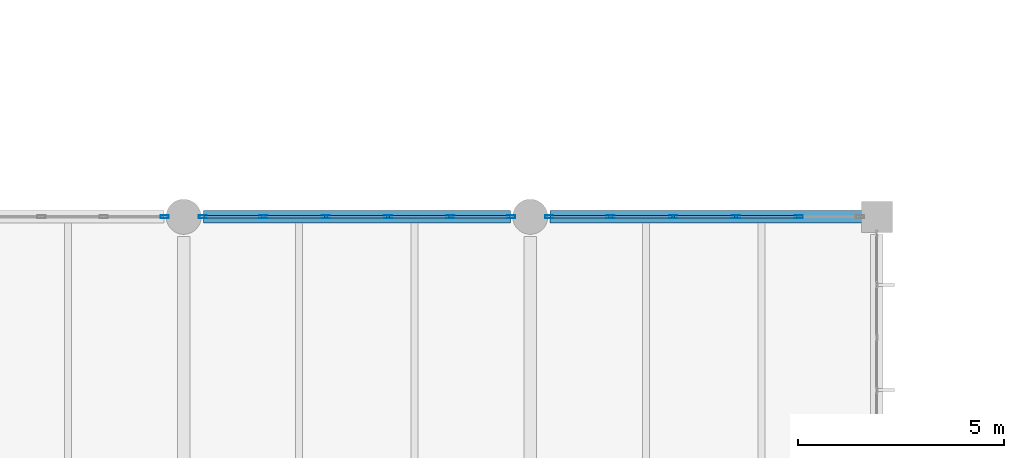
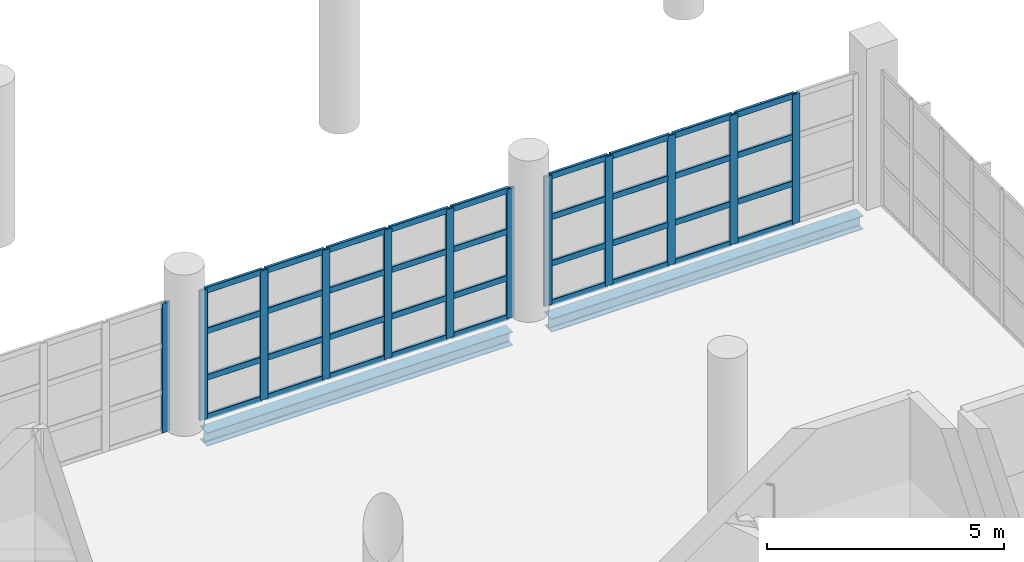
# One storey, part 75 of 177: 48 members, 2 beams, 3 elements without a shape of their own.
"""IFC4 building model written with IfcOpenShell, lengths in metres."""

import ifcopenshell
import ifcopenshell.guid

model = None  # the IFC model being written
_history = None  # IfcOwnerHistory: only IFC2X3 demands one
_inside = {}  # id of a spatial element -> (the spatial element, [elements in it])
_under = {}  # id of a project, library or spatial element -> (it, [spatial elements below it])
_declared = {}  # id of a project -> (the project, [libraries it declares])
_typed = {}  # id of a type object -> (the type object, [elements of that type])
_made_of = {}  # id of a material, layer set ... -> (it, [elements and type objects made of it])


def new_model(schema):
    """Start an empty IFC model of exactly this schema.

    Asked for "IFC4X3", IfcOpenShell would pick the latest addendum, in which some entities
    have other attributes; the version numbers below select the first issue.
    IFC2X3 requires an IfcOwnerHistory on every rooted entity: one is made here for all.
    """
    global model, _history
    if schema == "IFC4X3":
        model = ifcopenshell.file(schema_version=(4, 3, 0, 0))
    else:
        model = ifcopenshell.file(schema=schema)
    _inside.clear()
    _under.clear()
    _declared.clear()
    _typed.clear()
    _made_of.clear()
    _history = None
    if model.schema == "IFC2X3":
        org = make("IfcOrganization", Name="unknown")
        user = make(
            "IfcPersonAndOrganization",
            ThePerson=make("IfcPerson", FamilyName="unknown"),
            TheOrganization=org,
        )
        app = make(
            "IfcApplication",
            ApplicationDeveloper=org,
            Version="unknown",
            ApplicationFullName="unknown",
            ApplicationIdentifier="unknown",
        )
        _history = make(
            "IfcOwnerHistory",
            OwningUser=user,
            OwningApplication=app,
            ChangeAction="ADDED",
            CreationDate=0,
        )
    return model


def make(cls, **values):
    """One entity of the class cls with the attributes given. An attribute that is None is left unset."""
    return model.create_entity(
        cls, **{name: value for name, value in values.items() if value is not None}
    )


def rooted(cls, **values):
    """An entity with a GlobalId (a new one), such as an element, a storey or a relation."""
    return make(cls, GlobalId=ifcopenshell.guid.new(), OwnerHistory=_history, **values)


def si_unit(unit_type, name, prefix=None):
    """IfcSIUnit, for example si_unit("LENGTHUNIT", "METRE", prefix="MILLI")."""
    return make("IfcSIUnit", UnitType=unit_type, Prefix=prefix, Name=name)


def assignment(units):
    """IfcUnitAssignment: the units of a project."""
    return None if units is None else make("IfcUnitAssignment", Units=units)


def point(xyz):
    """IfcCartesianPoint."""
    return None if xyz is None else make("IfcCartesianPoint", Coordinates=xyz)


def direction(xyz):
    """IfcDirection."""
    return None if xyz is None else make("IfcDirection", DirectionRatios=xyz)


def frame(location, z_axis=None, x_axis=None):
    """IfcAxis2Placement3D, a coordinate frame: its origin and axes. An axis left out is left unset."""
    return make(
        "IfcAxis2Placement3D",
        Location=point(location),
        Axis=direction(z_axis),
        RefDirection=direction(x_axis),
    )


def frame_2d(location, x_axis=None):
    """IfcAxis2Placement2D, a coordinate frame in the plane: its origin and x axis."""
    return make(
        "IfcAxis2Placement2D", Location=point(location), RefDirection=direction(x_axis)
    )


def origin():
    """The frame at (0, 0, 0) with its axes left unset."""
    return frame((0.0, 0.0, 0.0))


def origin_2d():
    """The frame at (0, 0) in the plane with its x axis left unset."""
    return frame_2d((0.0, 0.0))


def place(relative_to, where):
    """IfcLocalPlacement: puts the frame where relative to a parent placement (None: the world)."""
    return make(
        "IfcLocalPlacement", PlacementRelTo=relative_to, RelativePlacement=where
    )


def context(
    kind, dimensions, precision=None, world=None, true_north=None, identifier=None
):
    """IfcGeometricRepresentationContext, for example the 3D "Model" context."""
    return make(
        "IfcGeometricRepresentationContext",
        ContextIdentifier=identifier,
        ContextType=kind,
        CoordinateSpaceDimension=dimensions,
        Precision=precision,
        WorldCoordinateSystem=world,
        TrueNorth=true_north,
    )


def subcontext(parent, identifier, kind, view, scale=None):
    """IfcGeometricRepresentationSubContext, for example "Body" below "Model"."""
    return make(
        "IfcGeometricRepresentationSubContext",
        ContextIdentifier=identifier,
        ContextType=kind,
        ParentContext=parent,
        TargetScale=scale,
        TargetView=view,
    )


def project(units=None, contexts=None):
    """IfcProject with its units and contexts."""
    return rooted(
        "IfcProject",
        Name="project",
        RepresentationContexts=contexts,
        UnitsInContext=assignment(units),
    )


def spatial(cls, under=None, at=None, **own):
    """A site, building, storey or space (cls), placed at a placement, below another one or the project."""
    s = rooted(cls, ObjectPlacement=at, **own)
    if under is not None:
        _under.setdefault(under.id(), (under, []))[1].append(s)
    return s


def profile(cls, at=None, kind="AREA", **sizes):
    """A parametric profile (cls). Its sizes go by their IFC names, for example OverallWidth=200.0."""
    return make(cls, ProfileType=kind, Position=at, **sizes)


def hollow_rectangle(**sizes):
    """IfcRectangleHollowProfileDef."""
    return profile("IfcRectangleHollowProfileDef", **sizes)


def i_section(**sizes):
    """IfcIShapeProfileDef."""
    return profile("IfcIShapeProfileDef", **sizes)


def extrude(swept, where, along, depth):
    """IfcExtrudedAreaSolid: the profile swept, set in the frame where, extruded along a direction by depth."""
    return make(
        "IfcExtrudedAreaSolid",
        SweptArea=swept,
        Position=where,
        ExtrudedDirection=direction(along),
        Depth=depth,
    )


def shape(context_of_items, identifier, shape_type, items):
    """IfcShapeRepresentation: the items that make up one representation, for example the "Body"."""
    return make(
        "IfcShapeRepresentation",
        ContextOfItems=context_of_items,
        RepresentationIdentifier=identifier,
        RepresentationType=shape_type,
        Items=items,
    )


def material(Name=None, Category=None):
    """IfcMaterial."""
    return make("IfcMaterial", Name=Name, Category=Category)


def layer(
    of_material, thickness, ventilated=None, Name=None, Category=None, Priority=None
):
    """IfcMaterialLayer: one layer of a wall or slab, of a material (None: an air gap)."""
    return make(
        "IfcMaterialLayer",
        Material=of_material,
        LayerThickness=thickness,
        IsVentilated=ventilated,
        Name=Name,
        Category=Category,
        Priority=Priority,
    )


def layer_set(layers, Name=None):
    """IfcMaterialLayerSet."""
    return make("IfcMaterialLayerSet", MaterialLayers=layers, LayerSetName=Name)


def material_profile(
    of_material, cross_section, Name=None, Category=None, Priority=None
):
    """IfcMaterialProfile: a cross section and its material."""
    return make(
        "IfcMaterialProfile",
        Name=Name,
        Material=of_material,
        Profile=cross_section,
        Priority=Priority,
        Category=Category,
    )


def profile_set(profiles, Name=None, composite=None):
    """IfcMaterialProfileSet."""
    return make(
        "IfcMaterialProfileSet",
        Name=Name,
        MaterialProfiles=profiles,
        CompositeProfile=composite,
    )


def made_of(thing, what):
    """Note that an element or type object is made of a material, layer set ...; save() writes the relation."""
    if what is not None:
        _made_of.setdefault(what.id(), (what, []))[1].append(thing)
    return thing


def type_object(cls, material=None, **own):
    """A type object (cls), such as IfcWallType, which elements share."""
    return made_of(rooted(cls, **own), material)


def element(
    cls,
    number,
    at=None,
    inside=None,
    cuts=None,
    type_object=None,
    material=None,
    context=None,
    identifier="Body",
    shape_type=None,
    held_by="IfcProductDefinitionShape",
    body=None,
    shapes=None,
    **own,
):
    """One element of the class cls, such as IfcWall. Its Tag is "e" and its number.

    at: its placement. inside: the storey or other place that contains it. cuts: it is an
    opening in that element (IfcRelVoidsElement). A single representation is given by context,
    identifier, shape_type and body (its items); several are given by shapes. held_by: the class
    of the entity that holds the representations. save() writes the other relations.
    """
    e = rooted(cls, Tag="e%d" % number, ObjectPlacement=at, **own)
    if body is not None:
        shapes = [shape(context, identifier, shape_type, body)]
    if shapes is not None:
        e.Representation = make(held_by, Representations=shapes)
    if inside is not None:
        _inside.setdefault(inside.id(), (inside, []))[1].append(e)
    if cuts is not None:
        rooted(
            "IfcRelVoidsElement", RelatingBuildingElement=cuts, RelatedOpeningElement=e
        )
    if type_object is not None:
        _typed.setdefault(type_object.id(), (type_object, []))[1].append(e)
    return made_of(e, material)


def aggregate(whole, parts):
    """IfcRelAggregates: a whole, such as a stair, and the parts it consists of."""
    return rooted("IfcRelAggregates", RelatingObject=whole, RelatedObjects=parts)


def save(model, path):
    """Write the relations noted so far, then the file.

    IfcRelAggregates (storeys below a building ...), IfcRelContainedInSpatialStructure (elements
    in a storey), IfcRelDefinesByType, IfcRelAssociatesMaterial and IfcRelDeclares: one each for
    every whole, place, type object, material and project.
    """
    for whole, parts in _under.values():
        aggregate(whole, parts)
    for where, things in _inside.values():
        rooted(
            "IfcRelContainedInSpatialStructure",
            RelatedElements=things,
            RelatingStructure=where,
        )
    for kind, things in _typed.values():
        rooted("IfcRelDefinesByType", RelatedObjects=things, RelatingType=kind)
    for what, things in _made_of.values():
        rooted("IfcRelAssociatesMaterial", RelatedObjects=things, RelatingMaterial=what)
    for by, libraries in _declared.values():
        rooted("IfcRelDeclares", RelatingContext=by, RelatedDefinitions=libraries)
    model.write(path)


model = new_model("IFC4")

# Units and contexts
model_context = context("Model", 3, precision=1e-05, world=origin(), true_north=direction((0.0, 1.0)))
body_context = subcontext(model_context, "Body", "Model", "MODEL_VIEW")
ifc_project = project(units=[si_unit("LENGTHUNIT", "METRE"), si_unit("AREAUNIT", "SQUARE_METRE"), si_unit("VOLUMEUNIT", "CUBIC_METRE"), si_unit("PLANEANGLEUNIT", "RADIAN"), si_unit("MASSUNIT", "GRAM", prefix="KILO"), si_unit("THERMODYNAMICTEMPERATUREUNIT", "KELVIN"), si_unit("POWERUNIT", "WATT")], contexts=[model_context])

# Site, building, storey
site_placement = place(None, origin())
site = spatial("IfcSite", under=ifc_project, at=site_placement, CompositionType="ELEMENT")
building_placement = place(site_placement, origin())
building = spatial("IfcBuilding", under=site, at=building_placement, Name="Mavoryth Pier Ferry Terminal", CompositionType="ELEMENT")
storey_placement = place(building_placement, frame((0.0, 0.0, 5.43994140625)))
storey = spatial("IfcBuildingStorey", under=building, at=storey_placement, Name="L01", CompositionType="ELEMENT", Elevation=5.43994140625)

# Curtain wall, member
ifc_material_1 = material(Name="Anodised Aluminium and Solar-Control Low-E Glass", Category="aluminium")
ifc_layer = layer(ifc_material_1, 0.219970703125, Name="Anodised Aluminium and Solar-Control Low-E Glass", Category="aluminium")
ifc_layer_set = layer_set([ifc_layer], Name="Anodised Aluminium and Solar-Control Low-E Glass - CW-Seaward-Tall-Mod1400")
curtain_wall_type = type_object("IfcCurtainWallType", Name="CW-Seaward-Tall-Mod1400", PredefinedType="USERDEFINED", material=ifc_layer_set)
curtain_wall_1_placement = place(storey_placement, origin())
curtain_wall_1 = element("IfcCurtainWall", 1, at=curtain_wall_1_placement, inside=storey, type_object=curtain_wall_type, Name="Curtain Wall CW-0144-040", ObjectType="UNITISED CURTAIN WALL", PredefinedType="USERDEFINED")
ifc_material_2 = material(Name="Anodised Aluminium EN AW-6063", Category="aluminium")
ifc_material_profile_1 = material_profile(ifc_material_2, hollow_rectangle(XDim=0.070068359375, YDim=0.199951171875, WallThickness=0.0048828125, InnerFilletRadius=0.0048828125, OuterFilletRadius=0.010009765625, at=origin_2d()), Name="AL-MULL 200x70x5", Category="aluminium")
ifc_profile_set_1 = profile_set([ifc_material_profile_1], Name="Anodised Aluminium EN AW-6063 - AL-MULL 200x70x5")
member_type_1 = type_object("IfcMemberType", Name="Mullion-Alum-200x70", PredefinedType="MULLION", material=ifc_profile_set_1)
member_1_placement = place(storey_placement, frame((16.340087890625, 106.0, 0.0), z_axis=(0.0, 0.0, 1.0), x_axis=(0.0, -1.0, 0.0)))
member_1 = element("IfcMember", 2, at=member_1_placement, type_object=member_type_1, Name="CW03 mullion 1", PredefinedType="MULLION", context=body_context, shape_type="SweptSolid", body=[
    extrude(hollow_rectangle(XDim=0.070068359375, YDim=0.199951171875, WallThickness=0.0048828125, InnerFilletRadius=0.0048828125, OuterFilletRadius=0.010009765625, at=origin_2d()), origin(), (0.0, 0.0, 1.0), 3.3349609375),
])
aggregate(curtain_wall_1, [member_1])

# Curtain wall, members
curtain_wall_2_placement = place(storey_placement, origin())
curtain_wall_2 = element("IfcCurtainWall", 3, at=curtain_wall_2_placement, inside=storey, type_object=curtain_wall_type, Name="Curtain Wall CW-0144-043", ObjectType="UNITISED CURTAIN WALL", PredefinedType="USERDEFINED")
member_2_placement = place(storey_placement, frame((24.739990234375, 106.0, 0.0), z_axis=(0.0, 0.0, 1.0), x_axis=(0.0, -1.0, 0.0)))
member_2 = element("IfcMember", 4, at=member_2_placement, type_object=member_type_1, Name="CW03 mullion 1", PredefinedType="MULLION", context=body_context, shape_type="SweptSolid", body=[
    extrude(hollow_rectangle(XDim=0.070068359375, YDim=0.199951171875, WallThickness=0.0048828125, InnerFilletRadius=0.0048828125, OuterFilletRadius=0.010009765625, at=origin_2d()), origin(), (0.0, 0.0, 1.0), 3.3349609375),
])
member_3_placement = place(storey_placement, frame((23.264892578125, 106.0, 0.0), z_axis=(0.0, 0.0, 1.0), x_axis=(0.0, -1.0, 0.0)))
member_3 = element("IfcMember", 5, at=member_3_placement, type_object=member_type_1, Name="CW03 mullion 2", PredefinedType="MULLION", context=body_context, shape_type="SweptSolid", body=[
    extrude(hollow_rectangle(XDim=0.070068359375, YDim=0.199951171875, WallThickness=0.0048828125, InnerFilletRadius=0.0048828125, OuterFilletRadius=0.010009765625, at=origin_2d()), origin(), (0.0, 0.0, 1.0), 3.3349609375),
])
member_4_placement = place(storey_placement, frame((21.7548828125, 106.0, 0.0), z_axis=(0.0, 0.0, 1.0), x_axis=(0.0, -1.0, 0.0)))
member_4 = element("IfcMember", 6, at=member_4_placement, type_object=member_type_1, Name="CW03 mullion 3", PredefinedType="MULLION", context=body_context, shape_type="SweptSolid", body=[
    extrude(hollow_rectangle(XDim=0.070068359375, YDim=0.199951171875, WallThickness=0.0048828125, InnerFilletRadius=0.0048828125, OuterFilletRadius=0.010009765625, at=origin_2d()), origin(), (0.0, 0.0, 1.0), 3.3349609375),
])
member_5_placement = place(storey_placement, frame((20.2451171875, 106.0, 0.0), z_axis=(0.0, 0.0, 1.0), x_axis=(0.0, -1.0, 0.0)))
member_5 = element("IfcMember", 7, at=member_5_placement, type_object=member_type_1, Name="CW03 mullion 4", PredefinedType="MULLION", context=body_context, shape_type="SweptSolid", body=[
    extrude(hollow_rectangle(XDim=0.070068359375, YDim=0.199951171875, WallThickness=0.0048828125, InnerFilletRadius=0.0048828125, OuterFilletRadius=0.010009765625, at=origin_2d()), origin(), (0.0, 0.0, 1.0), 3.3349609375),
])
member_6_placement = place(storey_placement, frame((18.735107421875, 106.0, 0.0), z_axis=(0.0, 0.0, 1.0), x_axis=(0.0, -1.0, 0.0)))
member_6 = element("IfcMember", 8, at=member_6_placement, type_object=member_type_1, Name="CW03 mullion 5", PredefinedType="MULLION", context=body_context, shape_type="SweptSolid", body=[
    extrude(hollow_rectangle(XDim=0.070068359375, YDim=0.199951171875, WallThickness=0.0048828125, InnerFilletRadius=0.0048828125, OuterFilletRadius=0.010009765625, at=origin_2d()), origin(), (0.0, 0.0, 1.0), 3.3349609375),
])
member_7_placement = place(storey_placement, frame((17.260009765625, 106.0, 0.0), z_axis=(0.0, 0.0, 1.0), x_axis=(0.0, -1.0, 0.0)))
member_7 = element("IfcMember", 9, at=member_7_placement, type_object=member_type_1, Name="CW03 mullion 6", PredefinedType="MULLION", context=body_context, shape_type="SweptSolid", body=[
    extrude(hollow_rectangle(XDim=0.070068359375, YDim=0.199951171875, WallThickness=0.0048828125, InnerFilletRadius=0.0048828125, OuterFilletRadius=0.010009765625, at=origin_2d()), origin(), (0.0, 0.0, 1.0), 3.3349609375),
])

curtain_wall_3_placement = place(storey_placement, origin())
curtain_wall_3 = element("IfcCurtainWall", 10, at=curtain_wall_3_placement, inside=storey, type_object=curtain_wall_type, Name="Curtain Wall CW-0144-046", ObjectType="UNITISED CURTAIN WALL", PredefinedType="USERDEFINED")
member_8_placement = place(storey_placement, frame((31.705078125, 106.0, 0.0), z_axis=(0.0, 0.0, 1.0), x_axis=(0.0, -1.0, 0.0)))
member_8 = element("IfcMember", 11, at=member_8_placement, type_object=member_type_1, Name="CW03 mullion 2", PredefinedType="MULLION", context=body_context, shape_type="SweptSolid", body=[
    extrude(hollow_rectangle(XDim=0.070068359375, YDim=0.199951171875, WallThickness=0.0048828125, InnerFilletRadius=0.0048828125, OuterFilletRadius=0.010009765625, at=origin_2d()), origin(), (0.0, 0.0, 1.0), 3.3349609375),
])
member_9_placement = place(storey_placement, frame((30.18505859375, 106.0, 0.0), z_axis=(0.0, 0.0, 1.0), x_axis=(0.0, -1.0, 0.0)))
member_9 = element("IfcMember", 12, at=member_9_placement, type_object=member_type_1, Name="CW03 mullion 3", PredefinedType="MULLION", context=body_context, shape_type="SweptSolid", body=[
    extrude(hollow_rectangle(XDim=0.070068359375, YDim=0.199951171875, WallThickness=0.0048828125, InnerFilletRadius=0.0048828125, OuterFilletRadius=0.010009765625, at=origin_2d()), origin(), (0.0, 0.0, 1.0), 3.3349609375),
])
member_10_placement = place(storey_placement, frame((28.6650390625, 106.0, 0.0), z_axis=(0.0, 0.0, 1.0), x_axis=(0.0, -1.0, 0.0)))
member_10 = element("IfcMember", 13, at=member_10_placement, type_object=member_type_1, Name="CW03 mullion 4", PredefinedType="MULLION", context=body_context, shape_type="SweptSolid", body=[
    extrude(hollow_rectangle(XDim=0.070068359375, YDim=0.199951171875, WallThickness=0.0048828125, InnerFilletRadius=0.0048828125, OuterFilletRadius=0.010009765625, at=origin_2d()), origin(), (0.0, 0.0, 1.0), 3.3349609375),
])
member_11_placement = place(storey_placement, frame((27.14501953125, 106.0, 0.0), z_axis=(0.0, 0.0, 1.0), x_axis=(0.0, -1.0, 0.0)))
member_11 = element("IfcMember", 14, at=member_11_placement, type_object=member_type_1, Name="CW03 mullion 5", PredefinedType="MULLION", context=body_context, shape_type="SweptSolid", body=[
    extrude(hollow_rectangle(XDim=0.070068359375, YDim=0.199951171875, WallThickness=0.0048828125, InnerFilletRadius=0.0048828125, OuterFilletRadius=0.010009765625, at=origin_2d()), origin(), (0.0, 0.0, 1.0), 3.3349609375),
])
member_12_placement = place(storey_placement, frame((25.659912109375, 106.0, 0.0), z_axis=(0.0, 0.0, 1.0), x_axis=(0.0, -1.0, 0.0)))
member_12 = element("IfcMember", 15, at=member_12_placement, type_object=member_type_1, Name="CW03 mullion 6", PredefinedType="MULLION", context=body_context, shape_type="SweptSolid", body=[
    extrude(hollow_rectangle(XDim=0.070068359375, YDim=0.199951171875, WallThickness=0.0048828125, InnerFilletRadius=0.0048828125, OuterFilletRadius=0.010009765625, at=origin_2d()), origin(), (0.0, 0.0, 1.0), 3.3349609375),
])

# Beams
ifc_material_3 = material(Name="Steel S355J2", Category="steel")
ifc_material_profile_2 = material_profile(ifc_material_3, i_section(OverallWidth=0.300048828125, OverallDepth=0.35009765625, WebThickness=0.010009765625, FlangeThickness=0.017578125, FilletRadius=0.027099609375, at=origin_2d()), Name="HEA 360", Category="steel")
ifc_profile_set_2 = profile_set([ifc_material_profile_2], Name="Steel S355J2 - HEA 360")
beam_type = type_object("IfcBeamType", Name="Spandrel-Steel-HEA360", PredefinedType="SPANDREL", material=ifc_profile_set_2)
beam_1_placement = place(storey_placement, frame((17.27490234375, 106.0, -0.454833984375), z_axis=(1.0, 0.0, 0.0), x_axis=(0.0, 1.0, 0.0)))
element("IfcBeam", 16, at=beam_1_placement, inside=storey, type_object=beam_type, Name="Beam B01-SP03-0076", PredefinedType="SPANDREL", context=body_context, shape_type="SweptSolid", body=[
    extrude(i_section(OverallWidth=0.300048828125, OverallDepth=0.35009765625, WebThickness=0.010009765625, FlangeThickness=0.017578125, FilletRadius=0.027099609375, at=origin_2d()), origin(), (0.0, 0.0, 1.0), 7.4501953125),
])
beam_2_placement = place(storey_placement, frame((25.675048828125, 106.0, -0.454833984375), z_axis=(1.0, 0.0, 0.0), x_axis=(0.0, 1.0, 0.0)))
element("IfcBeam", 17, at=beam_2_placement, inside=storey, type_object=beam_type, Name="Beam B01-SP03-0077", PredefinedType="SPANDREL", context=body_context, shape_type="SweptSolid", body=[
    extrude(i_section(OverallWidth=0.300048828125, OverallDepth=0.35009765625, WebThickness=0.010009765625, FlangeThickness=0.017578125, FilletRadius=0.027099609375, at=origin_2d()), origin(), (0.0, 0.0, 1.0), 7.599853515625),
])

# Member
ifc_material_profile_3 = material_profile(ifc_material_2, hollow_rectangle(XDim=0.070068359375, YDim=0.155029296875, WallThickness=0.00390625, InnerFilletRadius=0.00390625, OuterFilletRadius=0.008056640625, at=origin_2d()), Name="AL-TRAN 155x70x4", Category="aluminium")
ifc_profile_set_3 = profile_set([ifc_material_profile_3], Name="Anodised Aluminium EN AW-6063 - AL-TRAN 155x70x4")
member_type_2 = type_object("IfcMemberType", Name="Transom-Alum-155x70", PredefinedType="USERDEFINED", material=ifc_profile_set_3)
member_13_placement = place(storey_placement, frame((24.705078125, 106.0, 0.03515625), z_axis=(-1.0, 0.0, 0.0), x_axis=(0.0, -1.0, 0.0)))
member_13 = element("IfcMember", 18, at=member_13_placement, type_object=member_type_2, Name="CW03 transom 1.1", ObjectType="TRANSOM", PredefinedType="USERDEFINED", context=body_context, shape_type="SweptSolid", body=[
    extrude(hollow_rectangle(XDim=0.070068359375, YDim=0.155029296875, WallThickness=0.00390625, InnerFilletRadius=0.00390625, OuterFilletRadius=0.008056640625, at=origin_2d()), origin(), (0.0, 0.0, 1.0), 1.405029296875),
])

member_14_placement = place(storey_placement, frame((24.705078125, 106.0, 1.050048828125), z_axis=(-1.0, 0.0, 0.0), x_axis=(0.0, -1.0, 0.0)))
member_14 = element("IfcMember", 19, at=member_14_placement, type_object=member_type_2, Name="CW03 transom 1.2", ObjectType="TRANSOM", PredefinedType="USERDEFINED", context=body_context, shape_type="SweptSolid", body=[
    extrude(hollow_rectangle(XDim=0.070068359375, YDim=0.155029296875, WallThickness=0.00390625, InnerFilletRadius=0.00390625, OuterFilletRadius=0.008056640625, at=origin_2d()), origin(), (0.0, 0.0, 1.0), 1.405029296875),
])

member_15_placement = place(storey_placement, frame((24.705078125, 106.0, 2.25), z_axis=(-1.0, 0.0, 0.0), x_axis=(0.0, -1.0, 0.0)))
member_15 = element("IfcMember", 20, at=member_15_placement, type_object=member_type_2, Name="CW03 transom 1.3", ObjectType="TRANSOM", PredefinedType="USERDEFINED", context=body_context, shape_type="SweptSolid", body=[
    extrude(hollow_rectangle(XDim=0.070068359375, YDim=0.155029296875, WallThickness=0.00390625, InnerFilletRadius=0.00390625, OuterFilletRadius=0.008056640625, at=origin_2d()), origin(), (0.0, 0.0, 1.0), 1.405029296875),
])

member_16_placement = place(storey_placement, frame((24.705078125, 106.0, 3.300048828125), z_axis=(-1.0, 0.0, 0.0), x_axis=(0.0, -1.0, 0.0)))
member_16 = element("IfcMember", 21, at=member_16_placement, type_object=member_type_2, Name="CW03 transom 1.4", ObjectType="TRANSOM", PredefinedType="USERDEFINED", context=body_context, shape_type="SweptSolid", body=[
    extrude(hollow_rectangle(XDim=0.070068359375, YDim=0.155029296875, WallThickness=0.00390625, InnerFilletRadius=0.00390625, OuterFilletRadius=0.008056640625, at=origin_2d()), origin(), (0.0, 0.0, 1.0), 1.405029296875),
])

member_17_placement = place(storey_placement, frame((23.22998046875, 106.0, 0.03515625), z_axis=(-1.0, 0.0, 0.0), x_axis=(0.0, -1.0, 0.0)))
member_17 = element("IfcMember", 22, at=member_17_placement, type_object=member_type_2, Name="CW03 transom 2.1", ObjectType="TRANSOM", PredefinedType="USERDEFINED", context=body_context, shape_type="SweptSolid", body=[
    extrude(hollow_rectangle(XDim=0.070068359375, YDim=0.155029296875, WallThickness=0.00390625, InnerFilletRadius=0.00390625, OuterFilletRadius=0.008056640625, at=origin_2d()), origin(), (0.0, 0.0, 1.0), 1.43994140625),
])

member_18_placement = place(storey_placement, frame((23.22998046875, 106.0, 1.050048828125), z_axis=(-1.0, 0.0, 0.0), x_axis=(0.0, -1.0, 0.0)))
member_18 = element("IfcMember", 23, at=member_18_placement, type_object=member_type_2, Name="CW03 transom 2.2", ObjectType="TRANSOM", PredefinedType="USERDEFINED", context=body_context, shape_type="SweptSolid", body=[
    extrude(hollow_rectangle(XDim=0.070068359375, YDim=0.155029296875, WallThickness=0.00390625, InnerFilletRadius=0.00390625, OuterFilletRadius=0.008056640625, at=origin_2d()), origin(), (0.0, 0.0, 1.0), 1.43994140625),
])

member_19_placement = place(storey_placement, frame((23.22998046875, 106.0, 2.25), z_axis=(-1.0, 0.0, 0.0), x_axis=(0.0, -1.0, 0.0)))
member_19 = element("IfcMember", 24, at=member_19_placement, type_object=member_type_2, Name="CW03 transom 2.3", ObjectType="TRANSOM", PredefinedType="USERDEFINED", context=body_context, shape_type="SweptSolid", body=[
    extrude(hollow_rectangle(XDim=0.070068359375, YDim=0.155029296875, WallThickness=0.00390625, InnerFilletRadius=0.00390625, OuterFilletRadius=0.008056640625, at=origin_2d()), origin(), (0.0, 0.0, 1.0), 1.43994140625),
])

member_20_placement = place(storey_placement, frame((23.22998046875, 106.0, 3.300048828125), z_axis=(-1.0, 0.0, 0.0), x_axis=(0.0, -1.0, 0.0)))
member_20 = element("IfcMember", 25, at=member_20_placement, type_object=member_type_2, Name="CW03 transom 2.4", ObjectType="TRANSOM", PredefinedType="USERDEFINED", context=body_context, shape_type="SweptSolid", body=[
    extrude(hollow_rectangle(XDim=0.070068359375, YDim=0.155029296875, WallThickness=0.00390625, InnerFilletRadius=0.00390625, OuterFilletRadius=0.008056640625, at=origin_2d()), origin(), (0.0, 0.0, 1.0), 1.43994140625),
])

member_21_placement = place(storey_placement, frame((21.719970703125, 106.0, 0.03515625), z_axis=(-1.0, 0.0, 0.0), x_axis=(0.0, -1.0, 0.0)))
member_21 = element("IfcMember", 26, at=member_21_placement, type_object=member_type_2, Name="CW03 transom 3.1", ObjectType="TRANSOM", PredefinedType="USERDEFINED", context=body_context, shape_type="SweptSolid", body=[
    extrude(hollow_rectangle(XDim=0.070068359375, YDim=0.155029296875, WallThickness=0.00390625, InnerFilletRadius=0.00390625, OuterFilletRadius=0.008056640625, at=origin_2d()), origin(), (0.0, 0.0, 1.0), 1.43994140625),
])

member_22_placement = place(storey_placement, frame((21.719970703125, 106.0, 1.050048828125), z_axis=(-1.0, 0.0, 0.0), x_axis=(0.0, -1.0, 0.0)))
member_22 = element("IfcMember", 27, at=member_22_placement, type_object=member_type_2, Name="CW03 transom 3.2", ObjectType="TRANSOM", PredefinedType="USERDEFINED", context=body_context, shape_type="SweptSolid", body=[
    extrude(hollow_rectangle(XDim=0.070068359375, YDim=0.155029296875, WallThickness=0.00390625, InnerFilletRadius=0.00390625, OuterFilletRadius=0.008056640625, at=origin_2d()), origin(), (0.0, 0.0, 1.0), 1.43994140625),
])

member_23_placement = place(storey_placement, frame((21.719970703125, 106.0, 2.25), z_axis=(-1.0, 0.0, 0.0), x_axis=(0.0, -1.0, 0.0)))
member_23 = element("IfcMember", 28, at=member_23_placement, type_object=member_type_2, Name="CW03 transom 3.3", ObjectType="TRANSOM", PredefinedType="USERDEFINED", context=body_context, shape_type="SweptSolid", body=[
    extrude(hollow_rectangle(XDim=0.070068359375, YDim=0.155029296875, WallThickness=0.00390625, InnerFilletRadius=0.00390625, OuterFilletRadius=0.008056640625, at=origin_2d()), origin(), (0.0, 0.0, 1.0), 1.43994140625),
])

member_24_placement = place(storey_placement, frame((21.719970703125, 106.0, 3.300048828125), z_axis=(-1.0, 0.0, 0.0), x_axis=(0.0, -1.0, 0.0)))
member_24 = element("IfcMember", 29, at=member_24_placement, type_object=member_type_2, Name="CW03 transom 3.4", ObjectType="TRANSOM", PredefinedType="USERDEFINED", context=body_context, shape_type="SweptSolid", body=[
    extrude(hollow_rectangle(XDim=0.070068359375, YDim=0.155029296875, WallThickness=0.00390625, InnerFilletRadius=0.00390625, OuterFilletRadius=0.008056640625, at=origin_2d()), origin(), (0.0, 0.0, 1.0), 1.43994140625),
])

member_25_placement = place(storey_placement, frame((20.2099609375, 106.0, 0.03515625), z_axis=(-1.0, 0.0, 0.0), x_axis=(0.0, -1.0, 0.0)))
member_25 = element("IfcMember", 30, at=member_25_placement, type_object=member_type_2, Name="CW03 transom 4.1", ObjectType="TRANSOM", PredefinedType="USERDEFINED", context=body_context, shape_type="SweptSolid", body=[
    extrude(hollow_rectangle(XDim=0.070068359375, YDim=0.155029296875, WallThickness=0.00390625, InnerFilletRadius=0.00390625, OuterFilletRadius=0.008056640625, at=origin_2d()), origin(), (0.0, 0.0, 1.0), 1.43994140625),
])

member_26_placement = place(storey_placement, frame((20.2099609375, 106.0, 1.050048828125), z_axis=(-1.0, 0.0, 0.0), x_axis=(0.0, -1.0, 0.0)))
member_26 = element("IfcMember", 31, at=member_26_placement, type_object=member_type_2, Name="CW03 transom 4.2", ObjectType="TRANSOM", PredefinedType="USERDEFINED", context=body_context, shape_type="SweptSolid", body=[
    extrude(hollow_rectangle(XDim=0.070068359375, YDim=0.155029296875, WallThickness=0.00390625, InnerFilletRadius=0.00390625, OuterFilletRadius=0.008056640625, at=origin_2d()), origin(), (0.0, 0.0, 1.0), 1.43994140625),
])

member_27_placement = place(storey_placement, frame((20.2099609375, 106.0, 2.25), z_axis=(-1.0, 0.0, 0.0), x_axis=(0.0, -1.0, 0.0)))
member_27 = element("IfcMember", 32, at=member_27_placement, type_object=member_type_2, Name="CW03 transom 4.3", ObjectType="TRANSOM", PredefinedType="USERDEFINED", context=body_context, shape_type="SweptSolid", body=[
    extrude(hollow_rectangle(XDim=0.070068359375, YDim=0.155029296875, WallThickness=0.00390625, InnerFilletRadius=0.00390625, OuterFilletRadius=0.008056640625, at=origin_2d()), origin(), (0.0, 0.0, 1.0), 1.43994140625),
])

member_28_placement = place(storey_placement, frame((20.2099609375, 106.0, 3.300048828125), z_axis=(-1.0, 0.0, 0.0), x_axis=(0.0, -1.0, 0.0)))
member_28 = element("IfcMember", 33, at=member_28_placement, type_object=member_type_2, Name="CW03 transom 4.4", ObjectType="TRANSOM", PredefinedType="USERDEFINED", context=body_context, shape_type="SweptSolid", body=[
    extrude(hollow_rectangle(XDim=0.070068359375, YDim=0.155029296875, WallThickness=0.00390625, InnerFilletRadius=0.00390625, OuterFilletRadius=0.008056640625, at=origin_2d()), origin(), (0.0, 0.0, 1.0), 1.43994140625),
])

member_29_placement = place(storey_placement, frame((18.699951171875, 106.0, 0.03515625), z_axis=(-1.0, 0.0, 0.0), x_axis=(0.0, -1.0, 0.0)))
member_29 = element("IfcMember", 34, at=member_29_placement, type_object=member_type_2, Name="CW03 transom 5.1", ObjectType="TRANSOM", PredefinedType="USERDEFINED", context=body_context, shape_type="SweptSolid", body=[
    extrude(hollow_rectangle(XDim=0.070068359375, YDim=0.155029296875, WallThickness=0.00390625, InnerFilletRadius=0.00390625, OuterFilletRadius=0.008056640625, at=origin_2d()), origin(), (0.0, 0.0, 1.0), 1.405029296875),
])

member_30_placement = place(storey_placement, frame((18.699951171875, 106.0, 1.050048828125), z_axis=(-1.0, 0.0, 0.0), x_axis=(0.0, -1.0, 0.0)))
member_30 = element("IfcMember", 35, at=member_30_placement, type_object=member_type_2, Name="CW03 transom 5.2", ObjectType="TRANSOM", PredefinedType="USERDEFINED", context=body_context, shape_type="SweptSolid", body=[
    extrude(hollow_rectangle(XDim=0.070068359375, YDim=0.155029296875, WallThickness=0.00390625, InnerFilletRadius=0.00390625, OuterFilletRadius=0.008056640625, at=origin_2d()), origin(), (0.0, 0.0, 1.0), 1.405029296875),
])

member_31_placement = place(storey_placement, frame((18.699951171875, 106.0, 2.25), z_axis=(-1.0, 0.0, 0.0), x_axis=(0.0, -1.0, 0.0)))
member_31 = element("IfcMember", 36, at=member_31_placement, type_object=member_type_2, Name="CW03 transom 5.3", ObjectType="TRANSOM", PredefinedType="USERDEFINED", context=body_context, shape_type="SweptSolid", body=[
    extrude(hollow_rectangle(XDim=0.070068359375, YDim=0.155029296875, WallThickness=0.00390625, InnerFilletRadius=0.00390625, OuterFilletRadius=0.008056640625, at=origin_2d()), origin(), (0.0, 0.0, 1.0), 1.405029296875),
])

member_32_placement = place(storey_placement, frame((18.699951171875, 106.0, 3.300048828125), z_axis=(-1.0, 0.0, 0.0), x_axis=(0.0, -1.0, 0.0)))
member_32 = element("IfcMember", 37, at=member_32_placement, type_object=member_type_2, Name="CW03 transom 5.4", ObjectType="TRANSOM", PredefinedType="USERDEFINED", context=body_context, shape_type="SweptSolid", body=[
    extrude(hollow_rectangle(XDim=0.070068359375, YDim=0.155029296875, WallThickness=0.00390625, InnerFilletRadius=0.00390625, OuterFilletRadius=0.008056640625, at=origin_2d()), origin(), (0.0, 0.0, 1.0), 1.405029296875),
])

aggregate(curtain_wall_2, [member_2, member_3, member_4, member_5, member_6, member_7, member_13, member_14, member_15, member_16, member_17, member_18, member_19, member_20, member_21, member_22, member_23, member_24, member_25, member_26, member_27, member_28, member_29, member_30, member_31, member_32])

member_33_placement = place(storey_placement, frame((31.669921875, 106.0, 0.03515625), z_axis=(-1.0, 0.0, 0.0), x_axis=(0.0, -1.0, 0.0)))
member_33 = element("IfcMember", 38, at=member_33_placement, type_object=member_type_2, Name="CW03 transom 2.1", ObjectType="TRANSOM", PredefinedType="USERDEFINED", context=body_context, shape_type="SweptSolid", body=[
    extrude(hollow_rectangle(XDim=0.070068359375, YDim=0.155029296875, WallThickness=0.00390625, InnerFilletRadius=0.00390625, OuterFilletRadius=0.008056640625, at=origin_2d()), origin(), (0.0, 0.0, 1.0), 1.449951171875),
])

member_34_placement = place(storey_placement, frame((31.669921875, 106.0, 1.050048828125), z_axis=(-1.0, 0.0, 0.0), x_axis=(0.0, -1.0, 0.0)))
member_34 = element("IfcMember", 39, at=member_34_placement, type_object=member_type_2, Name="CW03 transom 2.2", ObjectType="TRANSOM", PredefinedType="USERDEFINED", context=body_context, shape_type="SweptSolid", body=[
    extrude(hollow_rectangle(XDim=0.070068359375, YDim=0.155029296875, WallThickness=0.00390625, InnerFilletRadius=0.00390625, OuterFilletRadius=0.008056640625, at=origin_2d()), origin(), (0.0, 0.0, 1.0), 1.449951171875),
])

member_35_placement = place(storey_placement, frame((31.669921875, 106.0, 2.25), z_axis=(-1.0, 0.0, 0.0), x_axis=(0.0, -1.0, 0.0)))
member_35 = element("IfcMember", 40, at=member_35_placement, type_object=member_type_2, Name="CW03 transom 2.3", ObjectType="TRANSOM", PredefinedType="USERDEFINED", context=body_context, shape_type="SweptSolid", body=[
    extrude(hollow_rectangle(XDim=0.070068359375, YDim=0.155029296875, WallThickness=0.00390625, InnerFilletRadius=0.00390625, OuterFilletRadius=0.008056640625, at=origin_2d()), origin(), (0.0, 0.0, 1.0), 1.449951171875),
])

member_36_placement = place(storey_placement, frame((31.669921875, 106.0, 3.300048828125), z_axis=(-1.0, 0.0, 0.0), x_axis=(0.0, -1.0, 0.0)))
member_36 = element("IfcMember", 41, at=member_36_placement, type_object=member_type_2, Name="CW03 transom 2.4", ObjectType="TRANSOM", PredefinedType="USERDEFINED", context=body_context, shape_type="SweptSolid", body=[
    extrude(hollow_rectangle(XDim=0.070068359375, YDim=0.155029296875, WallThickness=0.00390625, InnerFilletRadius=0.00390625, OuterFilletRadius=0.008056640625, at=origin_2d()), origin(), (0.0, 0.0, 1.0), 1.449951171875),
])

member_37_placement = place(storey_placement, frame((30.14990234375, 106.0, 0.03515625), z_axis=(-1.0, 0.0, 0.0), x_axis=(0.0, -1.0, 0.0)))
member_37 = element("IfcMember", 42, at=member_37_placement, type_object=member_type_2, Name="CW03 transom 3.1", ObjectType="TRANSOM", PredefinedType="USERDEFINED", context=body_context, shape_type="SweptSolid", body=[
    extrude(hollow_rectangle(XDim=0.070068359375, YDim=0.155029296875, WallThickness=0.00390625, InnerFilletRadius=0.00390625, OuterFilletRadius=0.008056640625, at=origin_2d()), origin(), (0.0, 0.0, 1.0), 1.449951171875),
])

member_38_placement = place(storey_placement, frame((30.14990234375, 106.0, 1.050048828125), z_axis=(-1.0, 0.0, 0.0), x_axis=(0.0, -1.0, 0.0)))
member_38 = element("IfcMember", 43, at=member_38_placement, type_object=member_type_2, Name="CW03 transom 3.2", ObjectType="TRANSOM", PredefinedType="USERDEFINED", context=body_context, shape_type="SweptSolid", body=[
    extrude(hollow_rectangle(XDim=0.070068359375, YDim=0.155029296875, WallThickness=0.00390625, InnerFilletRadius=0.00390625, OuterFilletRadius=0.008056640625, at=origin_2d()), origin(), (0.0, 0.0, 1.0), 1.449951171875),
])

member_39_placement = place(storey_placement, frame((30.14990234375, 106.0, 2.25), z_axis=(-1.0, 0.0, 0.0), x_axis=(0.0, -1.0, 0.0)))
member_39 = element("IfcMember", 44, at=member_39_placement, type_object=member_type_2, Name="CW03 transom 3.3", ObjectType="TRANSOM", PredefinedType="USERDEFINED", context=body_context, shape_type="SweptSolid", body=[
    extrude(hollow_rectangle(XDim=0.070068359375, YDim=0.155029296875, WallThickness=0.00390625, InnerFilletRadius=0.00390625, OuterFilletRadius=0.008056640625, at=origin_2d()), origin(), (0.0, 0.0, 1.0), 1.449951171875),
])

member_40_placement = place(storey_placement, frame((30.14990234375, 106.0, 3.300048828125), z_axis=(-1.0, 0.0, 0.0), x_axis=(0.0, -1.0, 0.0)))
member_40 = element("IfcMember", 45, at=member_40_placement, type_object=member_type_2, Name="CW03 transom 3.4", ObjectType="TRANSOM", PredefinedType="USERDEFINED", context=body_context, shape_type="SweptSolid", body=[
    extrude(hollow_rectangle(XDim=0.070068359375, YDim=0.155029296875, WallThickness=0.00390625, InnerFilletRadius=0.00390625, OuterFilletRadius=0.008056640625, at=origin_2d()), origin(), (0.0, 0.0, 1.0), 1.449951171875),
])

member_41_placement = place(storey_placement, frame((28.6298828125, 106.0, 0.03515625), z_axis=(-1.0, 0.0, 0.0), x_axis=(0.0, -1.0, 0.0)))
member_41 = element("IfcMember", 46, at=member_41_placement, type_object=member_type_2, Name="CW03 transom 4.1", ObjectType="TRANSOM", PredefinedType="USERDEFINED", context=body_context, shape_type="SweptSolid", body=[
    extrude(hollow_rectangle(XDim=0.070068359375, YDim=0.155029296875, WallThickness=0.00390625, InnerFilletRadius=0.00390625, OuterFilletRadius=0.008056640625, at=origin_2d()), origin(), (0.0, 0.0, 1.0), 1.449951171875),
])

member_42_placement = place(storey_placement, frame((28.6298828125, 106.0, 1.050048828125), z_axis=(-1.0, 0.0, 0.0), x_axis=(0.0, -1.0, 0.0)))
member_42 = element("IfcMember", 47, at=member_42_placement, type_object=member_type_2, Name="CW03 transom 4.2", ObjectType="TRANSOM", PredefinedType="USERDEFINED", context=body_context, shape_type="SweptSolid", body=[
    extrude(hollow_rectangle(XDim=0.070068359375, YDim=0.155029296875, WallThickness=0.00390625, InnerFilletRadius=0.00390625, OuterFilletRadius=0.008056640625, at=origin_2d()), origin(), (0.0, 0.0, 1.0), 1.449951171875),
])

member_43_placement = place(storey_placement, frame((28.6298828125, 106.0, 2.25), z_axis=(-1.0, 0.0, 0.0), x_axis=(0.0, -1.0, 0.0)))
member_43 = element("IfcMember", 48, at=member_43_placement, type_object=member_type_2, Name="CW03 transom 4.3", ObjectType="TRANSOM", PredefinedType="USERDEFINED", context=body_context, shape_type="SweptSolid", body=[
    extrude(hollow_rectangle(XDim=0.070068359375, YDim=0.155029296875, WallThickness=0.00390625, InnerFilletRadius=0.00390625, OuterFilletRadius=0.008056640625, at=origin_2d()), origin(), (0.0, 0.0, 1.0), 1.449951171875),
])

member_44_placement = place(storey_placement, frame((28.6298828125, 106.0, 3.300048828125), z_axis=(-1.0, 0.0, 0.0), x_axis=(0.0, -1.0, 0.0)))
member_44 = element("IfcMember", 49, at=member_44_placement, type_object=member_type_2, Name="CW03 transom 4.4", ObjectType="TRANSOM", PredefinedType="USERDEFINED", context=body_context, shape_type="SweptSolid", body=[
    extrude(hollow_rectangle(XDim=0.070068359375, YDim=0.155029296875, WallThickness=0.00390625, InnerFilletRadius=0.00390625, OuterFilletRadius=0.008056640625, at=origin_2d()), origin(), (0.0, 0.0, 1.0), 1.449951171875),
])

member_45_placement = place(storey_placement, frame((27.110107421875, 106.0, 0.03515625), z_axis=(-1.0, 0.0, 0.0), x_axis=(0.0, -1.0, 0.0)))
member_45 = element("IfcMember", 50, at=member_45_placement, type_object=member_type_2, Name="CW03 transom 5.1", ObjectType="TRANSOM", PredefinedType="USERDEFINED", context=body_context, shape_type="SweptSolid", body=[
    extrude(hollow_rectangle(XDim=0.070068359375, YDim=0.155029296875, WallThickness=0.00390625, InnerFilletRadius=0.00390625, OuterFilletRadius=0.008056640625, at=origin_2d()), origin(), (0.0, 0.0, 1.0), 1.4150390625),
])

member_46_placement = place(storey_placement, frame((27.110107421875, 106.0, 1.050048828125), z_axis=(-1.0, 0.0, 0.0), x_axis=(0.0, -1.0, 0.0)))
member_46 = element("IfcMember", 51, at=member_46_placement, type_object=member_type_2, Name="CW03 transom 5.2", ObjectType="TRANSOM", PredefinedType="USERDEFINED", context=body_context, shape_type="SweptSolid", body=[
    extrude(hollow_rectangle(XDim=0.070068359375, YDim=0.155029296875, WallThickness=0.00390625, InnerFilletRadius=0.00390625, OuterFilletRadius=0.008056640625, at=origin_2d()), origin(), (0.0, 0.0, 1.0), 1.4150390625),
])

member_47_placement = place(storey_placement, frame((27.110107421875, 106.0, 2.25), z_axis=(-1.0, 0.0, 0.0), x_axis=(0.0, -1.0, 0.0)))
member_47 = element("IfcMember", 52, at=member_47_placement, type_object=member_type_2, Name="CW03 transom 5.3", ObjectType="TRANSOM", PredefinedType="USERDEFINED", context=body_context, shape_type="SweptSolid", body=[
    extrude(hollow_rectangle(XDim=0.070068359375, YDim=0.155029296875, WallThickness=0.00390625, InnerFilletRadius=0.00390625, OuterFilletRadius=0.008056640625, at=origin_2d()), origin(), (0.0, 0.0, 1.0), 1.4150390625),
])

member_48_placement = place(storey_placement, frame((27.110107421875, 106.0, 3.300048828125), z_axis=(-1.0, 0.0, 0.0), x_axis=(0.0, -1.0, 0.0)))
member_48 = element("IfcMember", 53, at=member_48_placement, type_object=member_type_2, Name="CW03 transom 5.4", ObjectType="TRANSOM", PredefinedType="USERDEFINED", context=body_context, shape_type="SweptSolid", body=[
    extrude(hollow_rectangle(XDim=0.070068359375, YDim=0.155029296875, WallThickness=0.00390625, InnerFilletRadius=0.00390625, OuterFilletRadius=0.008056640625, at=origin_2d()), origin(), (0.0, 0.0, 1.0), 1.4150390625),
])

aggregate(curtain_wall_3, [member_8, member_9, member_10, member_11, member_12, member_33, member_34, member_35, member_36, member_37, member_38, member_39, member_40, member_41, member_42, member_43, member_44, member_45, member_46, member_47, member_48])

save(model, "model.ifc")
